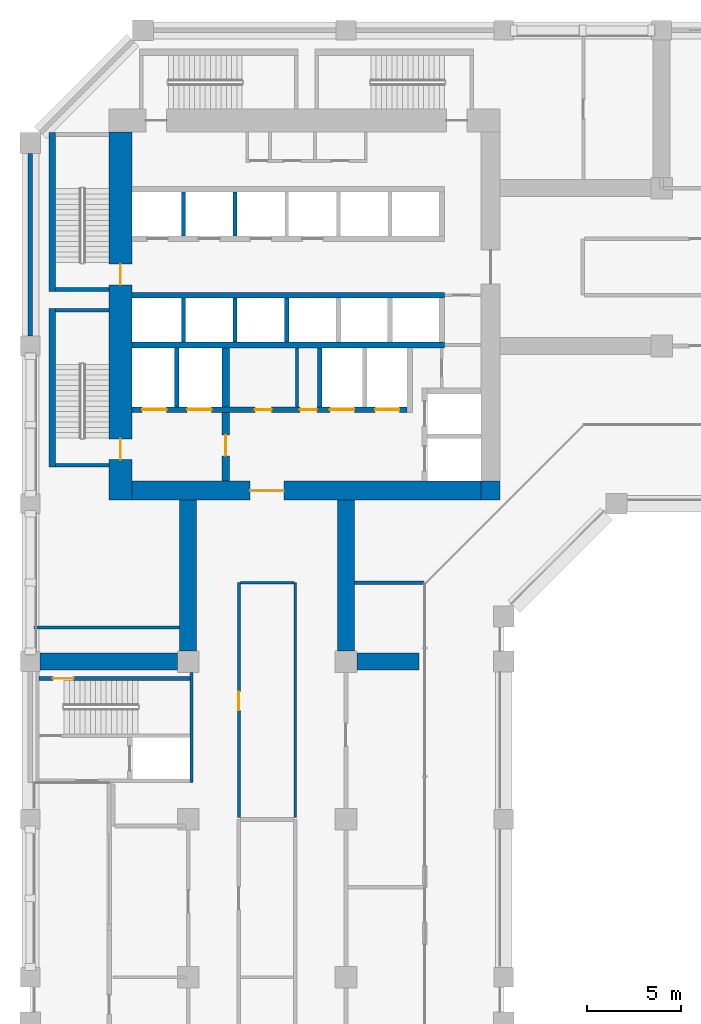
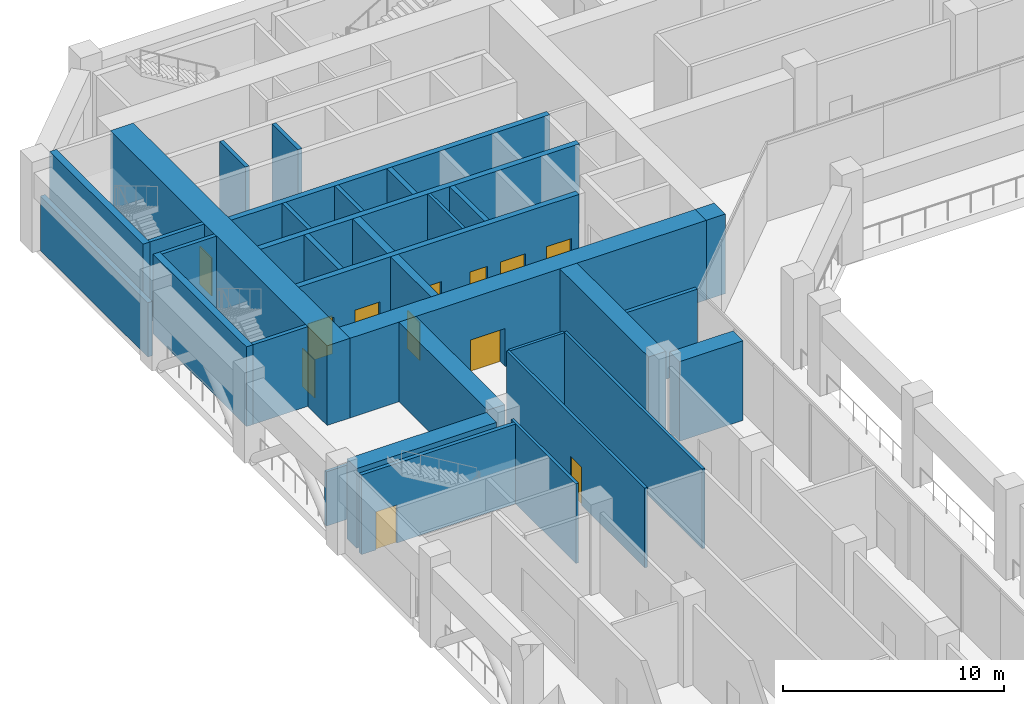
# One storey, part 7 of 19: 33 walls, 12 doors, 12 openings.
"""IFC4 building model written with IfcOpenShell, lengths in metres."""

from ifc_helpers import new_model, si_unit, direction, frame, frame_2d, origin, place, context, subcontext, project, spatial, rectangle, extrude, material, layer, layer_set, type_object, element, fill, save


model = new_model("IFC4")

# Units and contexts
model_context = context("Model", 3, precision=1e-05, world=origin(), true_north=direction((0.0, 1.0)))
body_context = subcontext(model_context, "Body", "Model", "MODEL_VIEW")
ifc_project = project(units=[si_unit("LENGTHUNIT", "METRE"), si_unit("AREAUNIT", "SQUARE_METRE"), si_unit("VOLUMEUNIT", "CUBIC_METRE"), si_unit("PLANEANGLEUNIT", "RADIAN"), si_unit("MASSUNIT", "GRAM", prefix="KILO")], contexts=[model_context])

# Site, building, storey
site_placement = place(None, origin())
site = spatial("IfcSite", under=ifc_project, at=site_placement, CompositionType="ELEMENT")
building_placement = place(site_placement, origin())
building = spatial("IfcBuilding", under=site, at=building_placement, Name="Kawkab Arch Medical Tower", CompositionType="ELEMENT")
storey_placement = place(building_placement, frame((0.0, 0.0, 93.800048828125)))
storey = spatial("IfcBuildingStorey", under=building, at=storey_placement, Name="L21", CompositionType="ELEMENT", Elevation=93.800048828125)

# Walls
ifc_material_1 = material(Name="Concrete C55/67", Category="concrete")
ifc_layer_1 = layer(ifc_material_1, 0.89990234375)
ifc_layer_set_1 = layer_set([ifc_layer_1], Name="Concrete C55/67")
wall_type_1 = type_object("IfcWallType", Name="Belt wall 900 C55/67", PredefinedType="SHEAR", material=ifc_layer_set_1)
for number, where, z_axis, x_axis, name in (
    (1, (8.39990234375, -25.0, 0.0), (0.0, 0.0, 1.0), (0.0, -1.0, 0.0), "Belt wall BW-L21-4"),
    (2, (16.800048828125, -25.0, 0.0), (0.0, 0.0, 1.0), (0.0, -1.0, 0.0), "Belt wall BW-L21-5"),
):
    element("IfcWall", number, at=place(storey_placement, frame(where, z_axis=z_axis, x_axis=x_axis)), inside=storey, type_object=wall_type_1, Name=name, PredefinedType="SHEAR", context=body_context, shape_type="SweptSolid", body=[
        extrude(rectangle(XDim=8.02490234375, YDim=0.89990234375, at=frame_2d((4.012451171875, 0.0))), origin(), (0.0, 0.0, 1.0), 4.39990234375),
    ])
wall_1_placement = place(storey_placement, frame((0.52490234375, -33.60009765625, 0.0), z_axis=(0.0, 0.0, 1.0), x_axis=(1.0, 0.0, 0.0)))
element("IfcWall", 3, at=wall_1_placement, inside=storey, type_object=wall_type_1, Name="Belt wall BW-L21-6", PredefinedType="SHEAR", context=body_context, shape_type="SweptSolid", body=[
    extrude(rectangle(XDim=7.300048828125, YDim=0.89990234375, at=frame_2d((3.64990234375, 0.0))), origin(), (0.0, 0.0, 1.0), 4.39990234375),
])
wall_2_placement = place(storey_placement, frame((17.375, -33.60009765625, 0.0), z_axis=(0.0, 0.0, 1.0), x_axis=(1.0, 0.0, 0.0)))
element("IfcWall", 4, at=wall_2_placement, inside=storey, type_object=wall_type_1, Name="Belt wall BW-L21-7", PredefinedType="SHEAR", context=body_context, shape_type="SweptSolid", body=[
    extrude(rectangle(XDim=3.324951171875, YDim=0.89990234375, at=frame_2d((1.66259765625, 0.0))), origin(), (0.0, 0.0, 1.0), 4.39990234375),
])

# Wall, opening, door
ifc_material_2 = material(Name="Concrete C60/75", Category="concrete")
ifc_layer_2 = layer(ifc_material_2, 1.0)
ifc_layer_set_2 = layer_set([ifc_layer_2], Name="Concrete C60/75")
wall_type_2 = type_object("IfcWallType", Name="Core ring wall 1000 C60/75", PredefinedType="SHEAR", material=ifc_layer_set_2)
wall_3_placement = place(storey_placement, frame((5.39990234375, -24.5, 0.0), z_axis=(0.0, 0.0, 1.0), x_axis=(1.0, 0.0, 0.0)))
wall_3 = element("IfcWall", 5, at=wall_3_placement, inside=storey, type_object=wall_type_2, Name="L21 core wall", PredefinedType="SHEAR", context=body_context, shape_type="SweptSolid", body=[
    extrude(rectangle(XDim=18.60009765625, YDim=1.0, at=frame_2d((9.300048828125, 0.0))), origin(), (0.0, 0.0, 1.0), 4.39990234375),
])
opening_1_placement = place(wall_3_placement, frame((6.300048828125, 0.0, 0.0)))
opening_1 = element("IfcOpeningElement", 6, at=opening_1_placement, cuts=wall_3, Name="Opening PD", PredefinedType="OPENING", context=body_context, shape_type="SweptSolid", body=[
    extrude(rectangle(XDim=1.800048828125, YDim=2.10009765625, at=frame_2d((0.89990234375, 1.050048828125))), frame((0.0, 0.510009765625, 0.0), z_axis=(0.0, -1.0, 0.0), x_axis=(1.0, 0.0, 0.0)), (0.0, 0.0, 1.0), 1.02001953125),
])
ifc_material_3 = material(Name="Hollow metal fire door leaf")
door_type_1 = type_object("IfcDoorType", Name="Core entrance doors 1800", OperationType="DOUBLE_DOOR_SINGLE_SWING", PredefinedType="DOOR", material=ifc_material_3)
door_1_placement = place(opening_1_placement, origin())
door_1 = element("IfcDoor", 7, at=door_1_placement, inside=storey, type_object=door_type_1, Name="L21 South entrance doors", OperationType="DOUBLE_DOOR_SINGLE_SWING", OverallHeight=2.10009765625, OverallWidth=1.800048828125, PredefinedType="DOOR", context=body_context, shape_type="SweptSolid", body=[
    extrude(rectangle(XDim=1.800048828125, YDim=2.10009765625, at=frame_2d((0.89990234375, 1.050048828125))), frame((0.0, 0.02490234375, 0.0), z_axis=(0.0, -1.0, 0.0), x_axis=(1.0, 0.0, 0.0)), (0.0, 0.0, 1.0), 0.050048828125),
])
fill(opening_1, door_1)

# Wall
wall_4_placement = place(storey_placement, frame((24.5, -25.0, 0.0), z_axis=(0.0, 0.0, 1.0), x_axis=(0.0, 1.0, 0.0)))
element("IfcWall", 8, at=wall_4_placement, inside=storey, type_object=wall_type_2, Name="L21 core wall", PredefinedType="SHEAR", context=body_context, shape_type="SweptSolid", body=[
    extrude(rectangle(XDim=1.0, YDim=1.0, at=frame_2d((0.5, 0.0))), origin(), (0.0, 0.0, 1.0), 4.39990234375),
])

# Wall, openings, doors
ifc_material_4 = material(Name="Concrete C60/75", Category="concrete")
ifc_layer_3 = layer(ifc_material_4, 1.199951171875)
ifc_layer_set_3 = layer_set([ifc_layer_3], Name="Concrete C60/75")
wall_type_3 = type_object("IfcWallType", Name="Core ring wall 1200 C60/75", PredefinedType="SHEAR", material=ifc_layer_set_3)
wall_5_placement = place(storey_placement, frame((4.800048828125, -25.0, 0.0), z_axis=(0.0, 0.0, 1.0), x_axis=(0.0, 1.0, 0.0)))
wall_5 = element("IfcWall", 9, at=wall_5_placement, inside=storey, type_object=wall_type_3, Name="L21 core wall", PredefinedType="SHEAR", context=body_context, shape_type="SweptSolid", body=[
    extrude(rectangle(XDim=19.60009765625, YDim=1.199951171875, at=frame_2d((9.800048828125, 0.0))), origin(), (0.0, 0.0, 1.0), 4.39990234375),
])
opening_2_placement = place(wall_5_placement, frame((11.449951171875, 0.0, 0.0)))
opening_2 = element("IfcOpeningElement", 10, at=opening_2_placement, cuts=wall_5, Name="Opening SD", PredefinedType="OPENING", context=body_context, shape_type="SweptSolid", body=[
    extrude(rectangle(XDim=1.10009765625, YDim=2.10009765625, at=frame_2d((0.550048828125, 1.050048828125))), frame((0.0, 0.60986328125, 0.0), z_axis=(0.0, -1.0, 0.0), x_axis=(1.0, 0.0, 0.0)), (0.0, 0.0, 1.0), 1.219970703125),
])
opening_3_placement = place(wall_5_placement, frame((2.14990234375, 0.0, 0.0)))
opening_3 = element("IfcOpeningElement", 11, at=opening_3_placement, cuts=wall_5, Name="Opening SD", PredefinedType="OPENING", context=body_context, shape_type="SweptSolid", body=[
    extrude(rectangle(XDim=1.10009765625, YDim=2.10009765625, at=frame_2d((0.550048828125, 1.050048828125))), frame((0.0, 0.60986328125, 0.0), z_axis=(0.0, -1.0, 0.0), x_axis=(1.0, 0.0, 0.0)), (0.0, 0.0, 1.0), 1.219970703125),
])
ifc_material_5 = material(Name="Hollow metal fire door leaf")
door_type_2 = type_object("IfcDoorType", Name="Exit stair door 1100", OperationType="SINGLE_SWING_LEFT", PredefinedType="DOOR", material=ifc_material_5)
door_2_placement = place(opening_2_placement, origin())
door_2 = element("IfcDoor", 12, at=door_2_placement, inside=storey, type_object=door_type_2, Name="L21 Exit stair ST1 door", OperationType="SINGLE_SWING_LEFT", OverallHeight=2.10009765625, OverallWidth=1.10009765625, PredefinedType="DOOR", context=body_context, shape_type="SweptSolid", body=[
    extrude(rectangle(XDim=1.10009765625, YDim=2.10009765625, at=frame_2d((0.550048828125, 1.050048828125))), frame((0.0, 0.02490234375, 0.0), z_axis=(0.0, -1.0, 0.0), x_axis=(1.0, 0.0, 0.0)), (0.0, 0.0, 1.0), 0.050048828125),
])
fill(opening_2, door_2)
door_3_placement = place(opening_3_placement, origin())
door_3 = element("IfcDoor", 13, at=door_3_placement, inside=storey, type_object=door_type_2, Name="L21 Exit stair ST2 door", OperationType="SINGLE_SWING_LEFT", OverallHeight=2.10009765625, OverallWidth=1.10009765625, PredefinedType="DOOR", context=body_context, shape_type="SweptSolid", body=[
    extrude(rectangle(XDim=1.10009765625, YDim=2.10009765625, at=frame_2d((0.550048828125, 1.050048828125))), frame((0.0, 0.02490234375, 0.0), z_axis=(0.0, -1.0, 0.0), x_axis=(1.0, 0.0, 0.0)), (0.0, 0.0, 1.0), 0.050048828125),
])
fill(opening_3, door_3)

# Walls
ifc_material_6 = material(Name="Gypsum board on steel studs", Category="steel")
ifc_layer_4 = layer(ifc_material_6, 0.14990234375)
ifc_layer_set_4 = layer_set([ifc_layer_4], Name="Gypsum board on steel studs")
wall_type_4 = type_object("IfcWallType", Name="Core room partition 150", PredefinedType="PARTITIONING", material=ifc_layer_set_4)
wall_6_placement = place(storey_placement, frame((14.199951171875, -20.050048828125, 0.0), z_axis=(0.0, 0.0, 1.0), x_axis=(0.0, 1.0, 0.0)))
element("IfcWall", 14, at=wall_6_placement, inside=storey, type_object=wall_type_4, Name="L21 core room partition", PredefinedType="PARTITIONING", context=body_context, shape_type="SweptSolid", body=[
    extrude(rectangle(XDim=3.150146484375, YDim=0.14990234375, at=frame_2d((1.5751953125, 0.0))), origin(), (0.0, 0.0, 1.0), 4.39990234375),
])
ifc_material_7 = material(Name="Concrete C60/75", Category="concrete")
ifc_layer_5 = layer(ifc_material_7, 0.25)
ifc_layer_set_5 = layer_set([ifc_layer_5], Name="Concrete C60/75")
wall_type_5 = type_object("IfcWallType", Name="Core shear wall 250 C60/75", PredefinedType="SHEAR", material=ifc_layer_set_5)
for number, where, z_axis, x_axis, name in (
    (15, (7.800048828125, -20.050048828125, 0.0), (0.0, 0.0, 1.0), (0.0, 1.0, 0.0), "L21 core shear wall"),
    (16, (15.39990234375, -20.050048828125, 0.0), (0.0, 0.0, 1.0), (0.0, 1.0, 0.0), "L21 core shear wall"),
):
    element("IfcWall", number, at=place(storey_placement, frame(where, z_axis=z_axis, x_axis=x_axis)), inside=storey, type_object=wall_type_5, Name=name, PredefinedType="SHEAR", context=body_context, shape_type="SweptSolid", body=[
        extrude(rectangle(XDim=3.150146484375, YDim=0.25, at=frame_2d((1.5751953125, 0.0))), origin(), (0.0, 0.0, 1.0), 4.39990234375),
    ])
wall_7_placement = place(storey_placement, frame((13.64990234375, -16.60009765625, 0.0), z_axis=(0.0, 0.0, 1.0), x_axis=(0.0, 1.0, 0.0)))
element("IfcWall", 17, at=wall_7_placement, inside=storey, type_object=wall_type_5, Name="L21 core shear wall", PredefinedType="SHEAR", context=body_context, shape_type="SweptSolid", body=[
    extrude(rectangle(XDim=2.35009765625, YDim=0.25, at=frame_2d((1.175048828125, 0.0))), origin(), (0.0, 0.0, 1.0), 4.39990234375),
])
ifc_material_8 = material(Name="Concrete C60/75", Category="concrete")
ifc_layer_6 = layer(ifc_material_8, 0.300048828125)
ifc_layer_set_6 = layer_set([ifc_layer_6], Name="Concrete C60/75")
wall_type_6 = type_object("IfcWallType", Name="Core shear wall 300 C60/75", PredefinedType="SHEAR", material=ifc_layer_set_6)
for number, where, z_axis, x_axis, name in (
    (18, (5.39990234375, -14.10009765625, 0.0), (0.0, 0.0, 1.0), (1.0, 0.0, 0.0), "L21 core shear wall"),
    (19, (5.39990234375, -16.75, 0.0), (0.0, 0.0, 1.0), (1.0, 0.0, 0.0), "L21 core shear wall"),
):
    element("IfcWall", number, at=place(storey_placement, frame(where, z_axis=z_axis, x_axis=x_axis)), inside=storey, type_object=wall_type_6, Name=name, PredefinedType="SHEAR", context=body_context, shape_type="SweptSolid", body=[
        extrude(rectangle(XDim=16.650146484375, YDim=0.300048828125, at=frame_2d((8.3251953125, 0.0))), origin(), (0.0, 0.0, 1.0), 4.39990234375),
    ])

# Wall, openings, doors
wall_8_placement = place(storey_placement, frame((5.39990234375, -20.199951171875, 0.0), z_axis=(0.0, 0.0, 1.0), x_axis=(1.0, 0.0, 0.0)))
wall_8 = element("IfcWall", 20, at=wall_8_placement, inside=storey, type_object=wall_type_6, Name="L21 core shear wall", PredefinedType="SHEAR", context=body_context, shape_type="SweptSolid", body=[
    extrude(rectangle(XDim=14.650146484375, YDim=0.300048828125, at=frame_2d((7.3251953125, 0.0))), origin(), (0.0, 0.0, 1.0), 4.39990234375),
])
opening_4_placement = place(wall_8_placement, frame((10.550048828125, 0.0, 0.0)))
opening_4 = element("IfcOpeningElement", 21, at=opening_4_placement, cuts=wall_8, Name="Opening LD2", PredefinedType="OPENING", context=body_context, shape_type="SweptSolid", body=[
    extrude(rectangle(XDim=1.300048828125, YDim=2.10009765625, at=frame_2d((0.64990234375, 1.050048828125))), frame((0.0, 0.159912109375, 0.0), z_axis=(0.0, -1.0, 0.0), x_axis=(1.0, 0.0, 0.0)), (0.0, 0.0, 1.0), 0.320068359375),
])
opening_5_placement = place(wall_8_placement, frame((12.949951171875, 0.0, 0.0)))
opening_5 = element("IfcOpeningElement", 22, at=opening_5_placement, cuts=wall_8, Name="Opening LD2", PredefinedType="OPENING", context=body_context, shape_type="SweptSolid", body=[
    extrude(rectangle(XDim=1.300048828125, YDim=2.10009765625, at=frame_2d((0.64990234375, 1.050048828125))), frame((0.0, 0.159912109375, 0.0), z_axis=(0.0, -1.0, 0.0), x_axis=(1.0, 0.0, 0.0)), (0.0, 0.0, 1.0), 0.320068359375),
])
opening_6_placement = place(wall_8_placement, frame((0.550048828125, 0.0, 0.0)))
opening_6 = element("IfcOpeningElement", 23, at=opening_6_placement, cuts=wall_8, Name="Opening LD2", PredefinedType="OPENING", context=body_context, shape_type="SweptSolid", body=[
    extrude(rectangle(XDim=1.300048828125, YDim=2.10009765625, at=frame_2d((0.64990234375, 1.050048828125))), frame((0.0, 0.159912109375, 0.0), z_axis=(0.0, -1.0, 0.0), x_axis=(1.0, 0.0, 0.0)), (0.0, 0.0, 1.0), 0.320068359375),
])
opening_7_placement = place(wall_8_placement, frame((2.949951171875, 0.0, 0.0)))
opening_7 = element("IfcOpeningElement", 24, at=opening_7_placement, cuts=wall_8, Name="Opening LD2", PredefinedType="OPENING", context=body_context, shape_type="SweptSolid", body=[
    extrude(rectangle(XDim=1.300048828125, YDim=2.10009765625, at=frame_2d((0.64990234375, 1.050048828125))), frame((0.0, 0.159912109375, 0.0), z_axis=(0.0, -1.0, 0.0), x_axis=(1.0, 0.0, 0.0)), (0.0, 0.0, 1.0), 0.320068359375),
])
opening_8_placement = place(wall_8_placement, frame((6.550048828125, 0.0, 0.0)))
opening_8 = element("IfcOpeningElement", 25, at=opening_8_placement, cuts=wall_8, Name="Opening RD", PredefinedType="OPENING", context=body_context, shape_type="SweptSolid", body=[
    extrude(rectangle(XDim=0.89990234375, YDim=2.10009765625, at=frame_2d((0.449951171875, 1.050048828125))), frame((0.0, 0.159912109375, 0.0), z_axis=(0.0, -1.0, 0.0), x_axis=(1.0, 0.0, 0.0)), (0.0, 0.0, 1.0), 0.320068359375),
])
opening_9_placement = place(wall_8_placement, frame((8.949951171875, 0.0, 0.0)))
opening_9 = element("IfcOpeningElement", 26, at=opening_9_placement, cuts=wall_8, Name="Opening RD", PredefinedType="OPENING", context=body_context, shape_type="SweptSolid", body=[
    extrude(rectangle(XDim=0.89990234375, YDim=2.10009765625, at=frame_2d((0.449951171875, 1.050048828125))), frame((0.0, 0.159912109375, 0.0), z_axis=(0.0, -1.0, 0.0), x_axis=(1.0, 0.0, 0.0)), (0.0, 0.0, 1.0), 0.320068359375),
])
ifc_material_9 = material(Name="Hollow metal fire door leaf")
door_type_3 = type_object("IfcDoorType", Name="Core room door 900", OperationType="SINGLE_SWING_LEFT", PredefinedType="DOOR", material=ifc_material_9)
door_4_placement = place(opening_8_placement, origin())
door_4 = element("IfcDoor", 27, at=door_4_placement, inside=storey, type_object=door_type_3, Name="L21 Ward pantry door", OperationType="SINGLE_SWING_LEFT", OverallHeight=2.10009765625, OverallWidth=0.89990234375, PredefinedType="DOOR", context=body_context, shape_type="SweptSolid", body=[
    extrude(rectangle(XDim=0.89990234375, YDim=2.10009765625, at=frame_2d((0.449951171875, 1.050048828125))), frame((0.0, 0.02490234375, 0.0), z_axis=(0.0, -1.0, 0.0), x_axis=(1.0, 0.0, 0.0)), (0.0, 0.0, 1.0), 0.050048828125),
])
fill(opening_8, door_4)
door_5_placement = place(opening_9_placement, origin())
door_5 = element("IfcDoor", 28, at=door_5_placement, inside=storey, type_object=door_type_3, Name="L21 Linen store door", OperationType="SINGLE_SWING_LEFT", OverallHeight=2.10009765625, OverallWidth=0.89990234375, PredefinedType="DOOR", context=body_context, shape_type="SweptSolid", body=[
    extrude(rectangle(XDim=0.89990234375, YDim=2.10009765625, at=frame_2d((0.449951171875, 1.050048828125))), frame((0.0, 0.02490234375, 0.0), z_axis=(0.0, -1.0, 0.0), x_axis=(1.0, 0.0, 0.0)), (0.0, 0.0, 1.0), 0.050048828125),
])
fill(opening_9, door_5)
ifc_material_10 = material(Name="Stainless steel lift door leaf", Category="steel")
door_type_4 = type_object("IfcDoorType", Name="Lift landing door 1300", OperationType="DOUBLE_DOOR_SLIDING", PredefinedType="DOOR", material=ifc_material_10)
door_6_placement = place(opening_4_placement, origin())
door_6 = element("IfcDoor", 29, at=door_6_placement, inside=storey, type_object=door_type_4, Name="L21 Lift landing door BD3", OperationType="DOUBLE_DOOR_SLIDING", OverallHeight=2.10009765625, OverallWidth=1.300048828125, PredefinedType="DOOR", context=body_context, shape_type="SweptSolid", body=[
    extrude(rectangle(XDim=1.300048828125, YDim=2.10009765625, at=frame_2d((0.64990234375, 1.050048828125))), frame((0.0, 0.02490234375, 0.0), z_axis=(0.0, -1.0, 0.0), x_axis=(1.0, 0.0, 0.0)), (0.0, 0.0, 1.0), 0.050048828125),
])
fill(opening_4, door_6)
door_7_placement = place(opening_5_placement, origin())
door_7 = element("IfcDoor", 30, at=door_7_placement, inside=storey, type_object=door_type_4, Name="L21 Lift landing door BD4", OperationType="DOUBLE_DOOR_SLIDING", OverallHeight=2.10009765625, OverallWidth=1.300048828125, PredefinedType="DOOR", context=body_context, shape_type="SweptSolid", body=[
    extrude(rectangle(XDim=1.300048828125, YDim=2.10009765625, at=frame_2d((0.64990234375, 1.050048828125))), frame((0.0, 0.02490234375, 0.0), z_axis=(0.0, -1.0, 0.0), x_axis=(1.0, 0.0, 0.0)), (0.0, 0.0, 1.0), 0.050048828125),
])
fill(opening_5, door_7)
door_8_placement = place(opening_6_placement, origin())
door_8 = element("IfcDoor", 31, at=door_8_placement, inside=storey, type_object=door_type_4, Name="L21 Lift landing door FL1", OperationType="DOUBLE_DOOR_SLIDING", OverallHeight=2.10009765625, OverallWidth=1.300048828125, PredefinedType="DOOR", context=body_context, shape_type="SweptSolid", body=[
    extrude(rectangle(XDim=1.300048828125, YDim=2.10009765625, at=frame_2d((0.64990234375, 1.050048828125))), frame((0.0, 0.02490234375, 0.0), z_axis=(0.0, -1.0, 0.0), x_axis=(1.0, 0.0, 0.0)), (0.0, 0.0, 1.0), 0.050048828125),
])
fill(opening_6, door_8)
door_9_placement = place(opening_7_placement, origin())
door_9 = element("IfcDoor", 32, at=door_9_placement, inside=storey, type_object=door_type_4, Name="L21 Lift landing door FL2", OperationType="DOUBLE_DOOR_SLIDING", OverallHeight=2.10009765625, OverallWidth=1.300048828125, PredefinedType="DOOR", context=body_context, shape_type="SweptSolid", body=[
    extrude(rectangle(XDim=1.300048828125, YDim=2.10009765625, at=frame_2d((0.64990234375, 1.050048828125))), frame((0.0, 0.02490234375, 0.0), z_axis=(0.0, -1.0, 0.0), x_axis=(1.0, 0.0, 0.0)), (0.0, 0.0, 1.0), 0.050048828125),
])
fill(opening_7, door_9)

# Wall, opening, door
ifc_material_11 = material(Name="Concrete C60/75", Category="concrete")
ifc_layer_7 = layer(ifc_material_11, 0.39990234375)
ifc_layer_set_7 = layer_set([ifc_layer_7], Name="Concrete C60/75")
wall_type_7 = type_object("IfcWallType", Name="Core shear wall 400 C60/75", PredefinedType="SHEAR", material=ifc_layer_set_7)
wall_9_placement = place(storey_placement, frame((10.39990234375, -24.0, 0.0), z_axis=(0.0, 0.0, 1.0), x_axis=(0.0, 1.0, 0.0)))
wall_9 = element("IfcWall", 33, at=wall_9_placement, inside=storey, type_object=wall_type_7, Name="L21 core shear wall", PredefinedType="SHEAR", context=body_context, shape_type="SweptSolid", body=[
    extrude(rectangle(XDim=3.64990234375, YDim=0.39990234375, at=frame_2d((1.824951171875, 0.0))), origin(), (0.0, 0.0, 1.0), 4.39990234375),
])
opening_10_placement = place(wall_9_placement, frame((1.35009765625, 0.0, 0.0)))
opening_10 = element("IfcOpeningElement", 34, at=opening_10_placement, cuts=wall_9, Name="Opening FD", PredefinedType="OPENING", context=body_context, shape_type="SweptSolid", body=[
    extrude(rectangle(XDim=1.10009765625, YDim=2.10009765625, at=frame_2d((0.550048828125, 1.050048828125))), frame((0.0, 0.2099609375, 0.0), z_axis=(0.0, -1.0, 0.0), x_axis=(1.0, 0.0, 0.0)), (0.0, 0.0, 1.0), 0.419921875),
])
ifc_material_12 = material(Name="Hollow metal fire door leaf")
door_type_5 = type_object("IfcDoorType", Name="Firefighting lobby door 1100", OperationType="SINGLE_SWING_LEFT", PredefinedType="DOOR", material=ifc_material_12)
door_10_placement = place(opening_10_placement, origin())
door_10 = element("IfcDoor", 35, at=door_10_placement, inside=storey, type_object=door_type_5, Name="L21 Firefighting lobby door", OperationType="SINGLE_SWING_LEFT", OverallHeight=2.10009765625, OverallWidth=1.10009765625, PredefinedType="DOOR", context=body_context, shape_type="SweptSolid", body=[
    extrude(rectangle(XDim=1.10009765625, YDim=2.10009765625, at=frame_2d((0.550048828125, 1.050048828125))), frame((0.0, 0.02490234375, 0.0), z_axis=(0.0, -1.0, 0.0), x_axis=(1.0, 0.0, 0.0)), (0.0, 0.0, 1.0), 0.050048828125),
])
fill(opening_10, door_10)

# Walls
wall_10_placement = place(storey_placement, frame((10.39990234375, -20.050048828125, 0.0), z_axis=(0.0, 0.0, 1.0), x_axis=(0.0, 1.0, 0.0)))
element("IfcWall", 36, at=wall_10_placement, inside=storey, type_object=wall_type_7, Name="L21 core shear wall", PredefinedType="SHEAR", context=body_context, shape_type="SweptSolid", body=[
    extrude(rectangle(XDim=3.150146484375, YDim=0.39990234375, at=frame_2d((1.5751953125, 0.0))), origin(), (0.0, 0.0, 1.0), 4.39990234375),
])
ifc_material_13 = material(Name="Bronze clad insulated wall panel")
ifc_layer_8 = layer(ifc_material_13, 0.25)
ifc_layer_set_8 = layer_set([ifc_layer_8], Name="Bronze clad insulated wall panel")
wall_type_8 = type_object("IfcWallType", Name="External wall bay 250", PredefinedType="SOLIDWALL", material=ifc_layer_set_8)
wall_11_placement = place(storey_placement, frame((0.0, -6.550048828125, 0.0), z_axis=(0.0, 0.0, 1.0), x_axis=(0.0, -1.0, 0.0)))
element("IfcWall", 37, at=wall_11_placement, inside=storey, type_object=wall_type_8, Name="Plant wall L21.R02.1", PredefinedType="SOLIDWALL", context=body_context, shape_type="SweptSolid", body=[
    extrude(rectangle(XDim=9.724853515625, YDim=0.25, at=frame_2d((4.8623046875, 0.0))), origin(), (0.0, 0.0, 1.0), 3.0),
])
ifc_material_14 = material(Name="Dense concrete blockwork", Category="masonry")
ifc_layer_9 = layer(ifc_material_14, 0.199951171875)
ifc_layer_set_9 = layer_set([ifc_layer_9], Name="Dense concrete blockwork")
wall_type_9 = type_object("IfcWallType", Name="Lift shaft partition 200", PredefinedType="PARTITIONING", material=ifc_layer_set_9)
for number, where, z_axis, x_axis, name in (
    (38, (8.14990234375, -10.949951171875, 0.0), (0.0, 0.0, 1.0), (0.0, 1.0, 0.0), "L21 lift shaft partition"),
    (39, (10.89990234375, -10.949951171875, 0.0), (0.0, 0.0, 1.0), (0.0, 1.0, 0.0), "L21 lift shaft partition"),
):
    element("IfcWall", number, at=place(storey_placement, frame(where, z_axis=z_axis, x_axis=x_axis)), inside=storey, type_object=wall_type_9, Name=name, PredefinedType="PARTITIONING", context=body_context, shape_type="SweptSolid", body=[
        extrude(rectangle(XDim=2.349853515625, YDim=0.199951171875, at=frame_2d((1.1748046875, 0.0))), origin(), (0.0, 0.0, 1.0), 4.39990234375),
    ])
for number, where, z_axis, x_axis, name in (
    (40, (8.14990234375, -16.60009765625, 0.0), (0.0, 0.0, 1.0), (0.0, 1.0, 0.0), "L21 lift shaft partition"),
    (41, (10.89990234375, -16.60009765625, 0.0), (0.0, 0.0, 1.0), (0.0, 1.0, 0.0), "L21 lift shaft partition"),
):
    element("IfcWall", number, at=place(storey_placement, frame(where, z_axis=z_axis, x_axis=x_axis)), inside=storey, type_object=wall_type_9, Name=name, PredefinedType="PARTITIONING", context=body_context, shape_type="SweptSolid", body=[
        extrude(rectangle(XDim=2.35009765625, YDim=0.199951171875, at=frame_2d((1.175048828125, 0.0))), origin(), (0.0, 0.0, 1.0), 4.39990234375),
    ])
ifc_material_15 = material(Name="Gypsum board partition on steel studs, mineral wool", Category="steel")
ifc_layer_10 = layer(ifc_material_15, 0.14990234375)
ifc_layer_set_10 = layer_set([ifc_layer_10], Name="Gypsum board partition on steel studs, mineral wool")
wall_type_10 = type_object("IfcWallType", Name="Partition 150", PredefinedType="PARTITIONING", material=ifc_layer_set_10)
wall_12_placement = place(storey_placement, frame((0.199951171875, -31.781982421875, 0.0), z_axis=(0.0, 0.0, 1.0), x_axis=(1.0, 0.0, 0.0)))
element("IfcWall", 42, at=wall_12_placement, inside=storey, type_object=wall_type_10, Name="Partition 150 w006", PredefinedType="PARTITIONING", context=body_context, shape_type="SweptSolid", body=[
    extrude(rectangle(XDim=7.7509765625, YDim=0.14990234375, at=frame_2d((3.87548828125, 0.0))), origin(), (0.0, 0.0, 1.0), 3.0),
])
wall_13_placement = place(storey_placement, frame((11.177978515625, -29.39990234375, 0.0), z_axis=(0.0, 0.0, 1.0), x_axis=(1.0, 0.0, 0.0)))
element("IfcWall", 43, at=wall_13_placement, inside=storey, type_object=wall_type_10, Name="Partition 150 w007", PredefinedType="PARTITIONING", context=body_context, shape_type="SweptSolid", body=[
    extrude(rectangle(XDim=2.846923828125, YDim=0.14990234375, at=frame_2d((1.42333984375, 0.0))), origin(), (0.0, 0.0, 1.0), 4.39990234375),
])

# Wall, opening, door
wall_14_placement = place(storey_placement, frame((11.10009765625, -41.89990234375, 0.0), z_axis=(0.0, 0.0, 1.0), x_axis=(0.0, 1.0, 0.0)))
wall_14 = element("IfcWall", 44, at=wall_14_placement, inside=storey, type_object=wall_type_10, Name="Partition 150 w012", PredefinedType="PARTITIONING", context=body_context, shape_type="SweptSolid", body=[
    extrude(rectangle(XDim=12.496826171875, YDim=0.14990234375, at=frame_2d((6.24853515625, 0.0))), origin(), (0.0, 0.0, 1.0), 4.39990234375),
])
opening_11_placement = place(wall_14_placement, frame((5.698974609375, 0.0, 0.0)))
opening_11 = element("IfcOpeningElement", 45, at=opening_11_placement, cuts=wall_14, Name="Opening PL1B-003", PredefinedType="OPENING", context=body_context, shape_type="SweptSolid", body=[
    extrude(rectangle(XDim=1.0, YDim=2.10009765625, at=frame_2d((0.5, 1.050048828125))), frame((0.0, 0.0849609375, 0.0), z_axis=(0.0, -1.0, 0.0), x_axis=(1.0, 0.0, 0.0)), (0.0, 0.0, 1.0), 0.169921875),
])
ifc_material_16 = material(Name="Hollow metal door leaf")
door_type_6 = type_object("IfcDoorType", Name="Single door 1000x2100 FD30S", OperationType="NOTDEFINED", PredefinedType="DOOR", material=ifc_material_16)
door_11_placement = place(opening_11_placement, origin())
door_11 = element("IfcDoor", 46, at=door_11_placement, inside=storey, type_object=door_type_6, Name="Door PL1B-003", OperationType="SINGLE_SWING_RIGHT", OverallHeight=2.10009765625, OverallWidth=1.0, PredefinedType="DOOR", context=body_context, shape_type="SweptSolid", body=[
    extrude(rectangle(XDim=1.0, YDim=2.10009765625, at=frame_2d((0.5, 1.050048828125))), frame((0.0, 0.02490234375, 0.0), z_axis=(0.0, -1.0, 0.0), x_axis=(1.0, 0.0, 0.0)), (0.0, 0.0, 1.0), 0.050048828125),
])
fill(opening_11, door_11)

# Walls
wall_15_placement = place(storey_placement, frame((14.10009765625, -41.89990234375, 0.0), z_axis=(0.0, 0.0, 1.0), x_axis=(0.0, 1.0, 0.0)))
element("IfcWall", 47, at=wall_15_placement, inside=storey, type_object=wall_type_10, Name="Partition 150 w013", PredefinedType="PARTITIONING", context=body_context, shape_type="SweptSolid", body=[
    extrude(rectangle(XDim=12.5, YDim=0.14990234375, at=frame_2d((6.25, 0.0))), origin(), (0.0, 0.0, 1.0), 4.39990234375),
])
ifc_material_17 = material(Name="Fire-rated gypsum board partition on steel studs", Category="steel")
ifc_layer_11 = layer(ifc_material_17, 0.199951171875)
ifc_layer_set_11 = layer_set([ifc_layer_11], Name="Fire-rated gypsum board partition on steel studs")
wall_type_11 = type_object("IfcWallType", Name="Protected partition 200", PredefinedType="PARTITIONING", material=ifc_layer_set_11)
wall_16_placement = place(storey_placement, frame((17.2490234375, -29.39990234375, 0.0), z_axis=(0.0, 0.0, 1.0), x_axis=(1.0, 0.0, 0.0)))
element("IfcWall", 48, at=wall_16_placement, inside=storey, type_object=wall_type_11, Name="Protected partition 200 w022", PredefinedType="PARTITIONING", context=body_context, shape_type="SweptSolid", body=[
    extrude(rectangle(XDim=3.697998046875, YDim=0.199951171875, at=frame_2d((1.84912109375, 0.0))), origin(), (0.0, 0.0, 1.0), 4.39990234375),
])
ifc_material_18 = material(Name="Concrete C50/60", Category="concrete")
ifc_layer_12 = layer(ifc_material_18, 0.14990234375)
ifc_layer_set_12 = layer_set([ifc_layer_12], Name="Concrete C50/60")
wall_type_12 = type_object("IfcWallType", Name="Stair enclosure wall 150 C50/60", PredefinedType="SHEAR", material=ifc_layer_set_12)
wall_17_placement = place(storey_placement, frame((8.574951171875, -40.050048828125, 0.0), z_axis=(0.0, 0.0, 1.0), x_axis=(0.0, 1.0, 0.0)))
element("IfcWall", 49, at=wall_17_placement, inside=storey, type_object=wall_type_12, Name="L21 stair enclosure wall", PredefinedType="SHEAR", context=body_context, shape_type="SweptSolid", body=[
    extrude(rectangle(XDim=5.875, YDim=0.14990234375, at=frame_2d((2.9375, 0.0))), origin(), (0.0, 0.0, 1.0), 4.39990234375),
])
ifc_material_19 = material(Name="Concrete C50/60", Category="concrete")
ifc_layer_13 = layer(ifc_material_19, 0.199951171875)
ifc_layer_set_13 = layer_set([ifc_layer_13], Name="Concrete C50/60")
wall_type_13 = type_object("IfcWallType", Name="Stair enclosure wall 200 C50/60", PredefinedType="SHEAR", material=ifc_layer_set_13)
for number, where, z_axis, x_axis, name in (
    (50, (1.35009765625, -13.800048828125, 0.0), (0.0, 0.0, 1.0), (1.0, 0.0, 0.0), "L21 stair enclosure wall"),
    (51, (1.35009765625, -14.89990234375, 0.0), (0.0, 0.0, 1.0), (1.0, 0.0, 0.0), "L21 stair enclosure wall"),
    (52, (1.35009765625, -23.14990234375, 0.0), (0.0, 0.0, 1.0), (1.0, 0.0, 0.0), "L21 stair enclosure wall"),
):
    element("IfcWall", number, at=place(storey_placement, frame(where, z_axis=z_axis, x_axis=x_axis)), inside=storey, type_object=wall_type_13, Name=name, PredefinedType="SHEAR", context=body_context, shape_type="SweptSolid", body=[
        extrude(rectangle(XDim=2.849853515625, YDim=0.199951171875, at=frame_2d((1.4248046875, 0.0))), origin(), (0.0, 0.0, 1.0), 4.39990234375),
    ])

# Wall, opening, door
wall_18_placement = place(storey_placement, frame((0.449951171875, -34.5, 0.0), z_axis=(0.0, 0.0, 1.0), x_axis=(1.0, 0.0, 0.0)))
wall_18 = element("IfcWall", 53, at=wall_18_placement, inside=storey, type_object=wall_type_13, Name="L21 stair enclosure wall", PredefinedType="SHEAR", context=body_context, shape_type="SweptSolid", body=[
    extrude(rectangle(XDim=8.050048828125, YDim=0.199951171875, at=frame_2d((4.02490234375, 0.0))), origin(), (0.0, 0.0, 1.0), 4.39990234375),
])
opening_12_placement = place(wall_18_placement, frame((0.75, 0.0, 0.0)))
opening_12 = element("IfcOpeningElement", 54, at=opening_12_placement, cuts=wall_18, Name="Opening SD", PredefinedType="OPENING", context=body_context, shape_type="SweptSolid", body=[
    extrude(rectangle(XDim=1.10009765625, YDim=2.10009765625, at=frame_2d((0.550048828125, 1.050048828125))), frame((0.0, 0.10986328125, 0.0), z_axis=(0.0, -1.0, 0.0), x_axis=(1.0, 0.0, 0.0)), (0.0, 0.0, 1.0), 0.219970703125),
])
door_12_placement = place(opening_12_placement, origin())
door_12 = element("IfcDoor", 55, at=door_12_placement, inside=storey, type_object=door_type_2, Name="L21 Exit stair ST6 door", OperationType="SINGLE_SWING_LEFT", OverallHeight=2.10009765625, OverallWidth=1.10009765625, PredefinedType="DOOR", context=body_context, shape_type="SweptSolid", body=[
    extrude(rectangle(XDim=1.10009765625, YDim=2.10009765625, at=frame_2d((0.550048828125, 1.050048828125))), frame((0.0, 0.02490234375, 0.0), z_axis=(0.0, -1.0, 0.0), x_axis=(1.0, 0.0, 0.0)), (0.0, 0.0, 1.0), 0.050048828125),
])
fill(opening_12, door_12)

# Walls
ifc_material_20 = material(Name="Concrete C50/60", Category="concrete")
ifc_layer_14 = layer(ifc_material_20, 0.35009765625)
ifc_layer_set_14 = layer_set([ifc_layer_14], Name="Concrete C50/60")
wall_type_14 = type_object("IfcWallType", Name="Stair enclosure wall 350 C50/60", PredefinedType="SHEAR", material=ifc_layer_set_14)
for number, where, z_axis, x_axis, name in (
    (56, (1.175048828125, -13.89990234375, 0.0), (0.0, 0.0, 1.0), (0.0, 1.0, 0.0), "L21 stair enclosure wall"),
    (57, (1.175048828125, -23.25, 0.0), (0.0, 0.0, 1.0), (0.0, 1.0, 0.0), "L21 stair enclosure wall"),
):
    element("IfcWall", number, at=place(storey_placement, frame(where, z_axis=z_axis, x_axis=x_axis)), inside=storey, type_object=wall_type_14, Name=name, PredefinedType="SHEAR", context=body_context, shape_type="SweptSolid", body=[
        extrude(rectangle(XDim=8.449951171875, YDim=0.35009765625, at=frame_2d((4.22509765625, 0.0))), origin(), (0.0, 0.0, 1.0), 4.39990234375),
    ])

save(model, "model.ifc")
